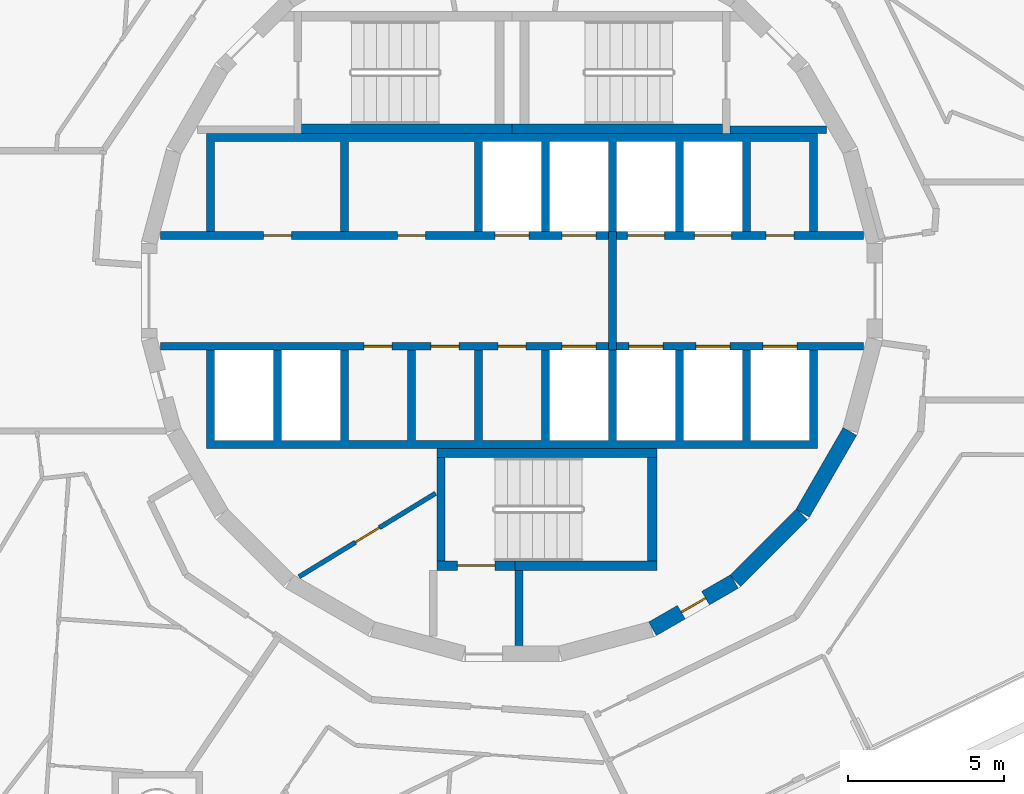
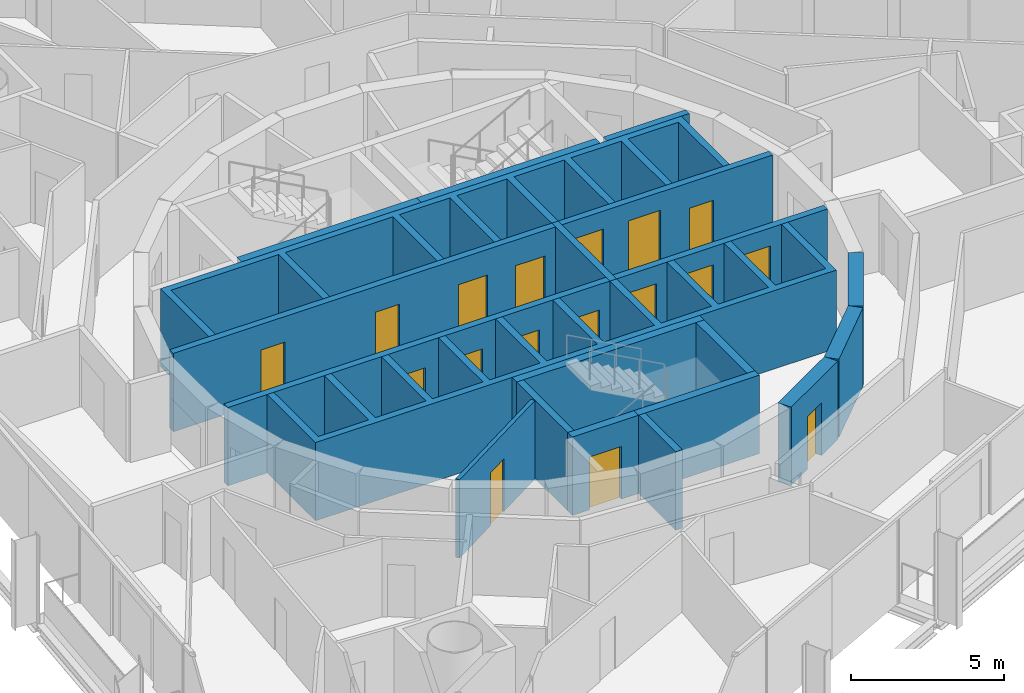
# One storey, part 13 of 17: 20 walls, 17 doors, 17 openings.
"""IFC4 building model written with IfcOpenShell, lengths in metres."""

from ifc_helpers import new_model, si_unit, direction, frame, frame_2d, origin, place, context, subcontext, project, spatial, polyline, rectangle, outline, extrude, material, layer, layer_set, type_object, element, fill, save


model = new_model("IFC4")

# Units and contexts
model_context = context("Model", 3, precision=1e-05, world=origin(), true_north=direction((0.0, 1.0)))
body_context = subcontext(model_context, "Body", "Model", "MODEL_VIEW")
ifc_project = project(units=[si_unit("LENGTHUNIT", "METRE"), si_unit("AREAUNIT", "SQUARE_METRE"), si_unit("VOLUMEUNIT", "CUBIC_METRE"), si_unit("PLANEANGLEUNIT", "RADIAN"), si_unit("MASSUNIT", "GRAM", prefix="KILO")], contexts=[model_context])

# Site, building, storey
site_placement = place(None, origin())
site = spatial("IfcSite", under=ifc_project, at=site_placement, CompositionType="ELEMENT")
building_placement = place(site_placement, origin())
building = spatial("IfcBuilding", under=site, at=building_placement, Name="Spindle Arch Residences", CompositionType="ELEMENT")
storey_placement = place(building_placement, frame((0.0, 0.0, 191.89990234375)))
storey = spatial("IfcBuildingStorey", under=building, at=storey_placement, Name="L48", CompositionType="ELEMENT", Elevation=191.89990234375)

# Wall, opening, door
ifc_material_1 = material(Name="Concrete C50/60", Category="concrete")
ifc_layer_1 = layer(ifc_material_1, 0.5)
ifc_layer_set_1 = layer_set([ifc_layer_1], Name="Core outline wall 500")
wall_type_1 = type_object("IfcWallType", Name="Core outline wall 500", PredefinedType="SHEAR", material=ifc_layer_set_1)
wall_1_placement = place(storey_placement, frame((4.510498046875, -10.84521484375, 0.0), z_axis=(0.0, 0.0, 1.0), x_axis=(0.865975092491, 0.500087131594, 0.0)))
wall_1 = element("IfcWall", 1, at=wall_1_placement, inside=storey, type_object=wall_type_1, Name="Core outline wall 2", PredefinedType="SHEAR", context=body_context, shape_type="SweptSolid", body=[
    extrude(rectangle(XDim=3.03271484375, YDim=0.5, at=frame_2d((1.516357421875, 0.0))), origin(), (0.0, 0.0, 1.0), 3.1201171875),
])
opening_1_placement = place(wall_1_placement, frame((1.06640625, 0.0, 0.0)))
opening_1 = element("IfcOpeningElement", 2, at=opening_1_placement, cuts=wall_1, Name="Opening R5A1-WD10", PredefinedType="OPENING", context=body_context, shape_type="SweptSolid", body=[
    extrude(rectangle(XDim=0.89990234375, YDim=2.10009765625, at=frame_2d((0.449951171875, 1.050048828125))), frame((0.0, 0.260009765625, 0.0), z_axis=(0.0, -1.0, 0.0), x_axis=(1.0, 0.0, 0.0)), (0.0, 0.0, 1.0), 0.52001953125),
])
ifc_material_2 = material(Name="Steel, fire-resisting door", Category="steel")
door_type_1 = type_object("IfcDoorType", Name="Service room door 900x2100", OperationType="SINGLE_SWING_LEFT", PredefinedType="DOOR", material=ifc_material_2)
door_1_placement = place(opening_1_placement, origin())
door_1 = element("IfcDoor", 3, at=door_1_placement, inside=storey, type_object=door_type_1, Name="Service room door R5A1-WD10", OperationType="SINGLE_SWING_RIGHT", OverallHeight=2.10009765625, OverallWidth=0.89990234375, PredefinedType="DOOR", context=body_context, shape_type="SweptSolid", body=[
    extrude(rectangle(XDim=0.89990234375, YDim=2.10009765625, at=frame_2d((0.449951171875, 1.050048828125))), frame((0.0, 0.02490234375, 0.0), z_axis=(0.0, -1.0, 0.0), x_axis=(1.0, 0.0, 0.0)), (0.0, 0.0, 1.0), 0.050048828125),
])
fill(opening_1, door_1)

# Walls
wall_2_placement = place(storey_placement, frame((7.163818359375, -9.30810546875, 0.0), z_axis=(0.0, 0.0, 1.0), x_axis=(0.707106781187, 0.707106781187, 0.0)))
element("IfcWall", 4, at=wall_2_placement, inside=storey, type_object=wall_type_1, Name="Core outline wall 3", PredefinedType="SHEAR", context=body_context, shape_type="SweptSolid", body=[
    extrude(rectangle(XDim=3.032470703125, YDim=0.5, at=frame_2d((1.51611328125, 0.0))), origin(), (0.0, 0.0, 1.0), 3.1201171875),
])
wall_3_placement = place(storey_placement, frame((9.32861328125, -7.13671875, 0.0), z_axis=(0.0, 0.0, 1.0), x_axis=(0.500087131594, 0.865975092491, 0.0)))
element("IfcWall", 5, at=wall_3_placement, inside=storey, type_object=wall_type_1, Name="Core outline wall 4", PredefinedType="SHEAR", context=body_context, shape_type="SweptSolid", body=[
    extrude(rectangle(XDim=3.03271484375, YDim=0.5, at=frame_2d((1.516357421875, 0.0))), origin(), (0.0, 0.0, 1.0), 3.1201171875),
])

# Wall, openings, doors
ifc_material_3 = material(Name="Concrete C40/50", Category="concrete")
ifc_layer_2 = layer(ifc_material_3, 0.25)
ifc_layer_set_2 = layer_set([ifc_layer_2], Name="Fire-lift lobby wall 250")
wall_type_2 = type_object("IfcWallType", Name="Fire-lift lobby wall 250", PredefinedType="SHEAR", material=ifc_layer_set_2)
wall_4_placement = place(storey_placement, frame((3.35009765625, 1.77490234375, 0.0), z_axis=(0.0, 0.0, 1.0), x_axis=(1.0, 0.0, 0.0)))
wall_4 = element("IfcWall", 6, at=wall_4_placement, inside=storey, type_object=wall_type_2, Name="Lift shaft front wall NE", PredefinedType="SHEAR", context=body_context, shape_type="SweptSolid", body=[
    extrude(rectangle(XDim=7.929931640625, YDim=0.25, at=frame_2d((3.96484375, 0.0))), origin(), (0.0, 0.0, 1.0), 3.1201171875),
])
opening_2_placement = place(wall_4_placement, frame((0.35009765625, 0.0, 0.0)))
opening_2 = element("IfcOpeningElement", 7, at=opening_2_placement, cuts=wall_4, Name="Opening R5A1-SLD01", PredefinedType="OPENING", context=body_context, shape_type="SweptSolid", body=[
    extrude(rectangle(XDim=1.199951171875, YDim=2.39990234375, at=frame_2d((0.60009765625, 1.199951171875))), frame((0.0, 0.135009765625, 0.0), z_axis=(0.0, -1.0, 0.0), x_axis=(1.0, 0.0, 0.0)), (0.0, 0.0, 1.0), 0.27001953125),
])
opening_3_placement = place(wall_4_placement, frame((2.5, 0.0, 0.0)))
opening_3 = element("IfcOpeningElement", 8, at=opening_3_placement, cuts=wall_4, Name="Opening R5A1-SLD02", PredefinedType="OPENING", context=body_context, shape_type="SweptSolid", body=[
    extrude(rectangle(XDim=1.199951171875, YDim=2.39990234375, at=frame_2d((0.60009765625, 1.199951171875))), frame((0.0, 0.135009765625, 0.0), z_axis=(0.0, -1.0, 0.0), x_axis=(1.0, 0.0, 0.0)), (0.0, 0.0, 1.0), 0.27001953125),
])
opening_4_placement = place(wall_4_placement, frame((4.800048828125, 0.0, 0.0)))
opening_4 = element("IfcOpeningElement", 9, at=opening_4_placement, cuts=wall_4, Name="Opening R5A1-WD03", PredefinedType="OPENING", context=body_context, shape_type="SweptSolid", body=[
    extrude(rectangle(XDim=0.89990234375, YDim=2.10009765625, at=frame_2d((0.449951171875, 1.050048828125))), frame((0.0, 0.135009765625, 0.0), z_axis=(0.0, -1.0, 0.0), x_axis=(1.0, 0.0, 0.0)), (0.0, 0.0, 1.0), 0.27001953125),
])
ifc_material_4 = material(Name="Steel, fire-resisting landing door", Category="steel")
door_type_2 = type_object("IfcDoorType", Name="Service lift landing door 1200x2400", OperationType="DOUBLE_DOOR_SLIDING", PredefinedType="DOOR", material=ifc_material_4)
door_2_placement = place(opening_2_placement, origin())
door_2 = element("IfcDoor", 10, at=door_2_placement, inside=storey, type_object=door_type_2, Name="Service lift landing door R5A1-SLD01", OperationType="DOUBLE_DOOR_SLIDING", OverallHeight=2.39990234375, OverallWidth=1.199951171875, PredefinedType="DOOR", context=body_context, shape_type="SweptSolid", body=[
    extrude(rectangle(XDim=1.199951171875, YDim=2.39990234375, at=frame_2d((0.60009765625, 1.199951171875))), frame((0.0, 0.02490234375, 0.0), z_axis=(0.0, -1.0, 0.0), x_axis=(1.0, 0.0, 0.0)), (0.0, 0.0, 1.0), 0.050048828125),
])
fill(opening_2, door_2)
door_3_placement = place(opening_3_placement, origin())
door_3 = element("IfcDoor", 11, at=door_3_placement, inside=storey, type_object=door_type_2, Name="Service lift landing door R5A1-SLD02", OperationType="DOUBLE_DOOR_SLIDING", OverallHeight=2.39990234375, OverallWidth=1.199951171875, PredefinedType="DOOR", context=body_context, shape_type="SweptSolid", body=[
    extrude(rectangle(XDim=1.199951171875, YDim=2.39990234375, at=frame_2d((0.60009765625, 1.199951171875))), frame((0.0, 0.02490234375, 0.0), z_axis=(0.0, -1.0, 0.0), x_axis=(1.0, 0.0, 0.0)), (0.0, 0.0, 1.0), 0.050048828125),
])
fill(opening_3, door_3)
door_4_placement = place(opening_4_placement, origin())
door_4 = element("IfcDoor", 12, at=door_4_placement, inside=storey, type_object=door_type_1, Name="Service room door R5A1-WD03", OperationType="SINGLE_SWING_LEFT", OverallHeight=2.10009765625, OverallWidth=0.89990234375, PredefinedType="DOOR", context=body_context, shape_type="SweptSolid", body=[
    extrude(rectangle(XDim=0.89990234375, YDim=2.10009765625, at=frame_2d((0.449951171875, 1.050048828125))), frame((0.0, 0.02490234375, 0.0), z_axis=(0.0, -1.0, 0.0), x_axis=(1.0, 0.0, 0.0)), (0.0, 0.0, 1.0), 0.050048828125),
])
fill(opening_4, door_4)

# Wall
wall_5_placement = place(storey_placement, frame((3.22509765625, -1.89990234375, 0.0), z_axis=(0.0, 0.0, 1.0), x_axis=(0.0, 1.0, 0.0)))
element("IfcWall", 13, at=wall_5_placement, inside=storey, type_object=wall_type_2, Name="Fire-fighting lobby partition", PredefinedType="SHEAR", context=body_context, shape_type="SweptSolid", body=[
    extrude(rectangle(XDim=3.7998046875, YDim=0.25, at=frame_2d((1.89990234375, 0.0))), origin(), (0.0, 0.0, 1.0), 3.1201171875),
])

# Wall, openings, doors
ifc_material_5 = material(Name="Concrete C50/60", Category="concrete")
ifc_layer_3 = layer(ifc_material_5, 0.25)
ifc_layer_set_3 = layer_set([ifc_layer_3], Name="Fire-lift shaft wall 250")
wall_type_3 = type_object("IfcWallType", Name="Fire-lift shaft wall 250", PredefinedType="SHEAR", material=ifc_layer_set_3)
wall_6_placement = place(storey_placement, frame((3.35009765625, -1.77490234375, 0.0), z_axis=(0.0, 0.0, 1.0), x_axis=(1.0, 0.0, 0.0)))
wall_6 = element("IfcWall", 14, at=wall_6_placement, inside=storey, type_object=wall_type_3, Name="Lift shaft front wall SE", PredefinedType="SHEAR", context=body_context, shape_type="SweptSolid", body=[
    extrude(rectangle(XDim=7.929931640625, YDim=0.25, at=frame_2d((3.96484375, 0.0))), origin(), (0.0, 0.0, 1.0), 3.1201171875),
])
opening_5_placement = place(wall_6_placement, frame((0.39990234375, 0.0, 0.0)))
opening_5 = element("IfcOpeningElement", 15, at=opening_5_placement, cuts=wall_6, Name="Opening R5A1-FLD01", PredefinedType="OPENING", context=body_context, shape_type="SweptSolid", body=[
    extrude(rectangle(XDim=1.10009765625, YDim=2.39990234375, at=frame_2d((0.550048828125, 1.199951171875))), frame((0.0, 0.135009765625, 0.0), z_axis=(0.0, -1.0, 0.0), x_axis=(1.0, 0.0, 0.0)), (0.0, 0.0, 1.0), 0.27001953125),
])
opening_6_placement = place(wall_6_placement, frame((2.550048828125, 0.0, 0.0)))
opening_6 = element("IfcOpeningElement", 16, at=opening_6_placement, cuts=wall_6, Name="Opening R5A1-FLD02", PredefinedType="OPENING", context=body_context, shape_type="SweptSolid", body=[
    extrude(rectangle(XDim=1.10009765625, YDim=2.39990234375, at=frame_2d((0.550048828125, 1.199951171875))), frame((0.0, 0.135009765625, 0.0), z_axis=(0.0, -1.0, 0.0), x_axis=(1.0, 0.0, 0.0)), (0.0, 0.0, 1.0), 0.27001953125),
])
opening_7_placement = place(wall_6_placement, frame((4.699951171875, 0.0, 0.0)))
opening_7 = element("IfcOpeningElement", 17, at=opening_7_placement, cuts=wall_6, Name="Opening R5A1-FLD03", PredefinedType="OPENING", context=body_context, shape_type="SweptSolid", body=[
    extrude(rectangle(XDim=1.10009765625, YDim=2.39990234375, at=frame_2d((0.550048828125, 1.199951171875))), frame((0.0, 0.135009765625, 0.0), z_axis=(0.0, -1.0, 0.0), x_axis=(1.0, 0.0, 0.0)), (0.0, 0.0, 1.0), 0.27001953125),
])
ifc_material_6 = material(Name="Steel, fire-resisting landing door", Category="steel")
door_type_3 = type_object("IfcDoorType", Name="Fire-fighting lift landing door 1100x2400", OperationType="DOUBLE_DOOR_SLIDING", PredefinedType="DOOR", material=ifc_material_6)
door_5_placement = place(opening_5_placement, origin())
door_5 = element("IfcDoor", 18, at=door_5_placement, inside=storey, type_object=door_type_3, Name="Fire-fighting lift landing door R5A1-FLD01", OperationType="DOUBLE_DOOR_SLIDING", OverallHeight=2.39990234375, OverallWidth=1.10009765625, PredefinedType="DOOR", context=body_context, shape_type="SweptSolid", body=[
    extrude(rectangle(XDim=1.10009765625, YDim=2.39990234375, at=frame_2d((0.550048828125, 1.199951171875))), frame((0.0, 0.02490234375, 0.0), z_axis=(0.0, -1.0, 0.0), x_axis=(1.0, 0.0, 0.0)), (0.0, 0.0, 1.0), 0.050048828125),
])
fill(opening_5, door_5)
door_6_placement = place(opening_6_placement, origin())
door_6 = element("IfcDoor", 19, at=door_6_placement, inside=storey, type_object=door_type_3, Name="Fire-fighting lift landing door R5A1-FLD02", OperationType="DOUBLE_DOOR_SLIDING", OverallHeight=2.39990234375, OverallWidth=1.10009765625, PredefinedType="DOOR", context=body_context, shape_type="SweptSolid", body=[
    extrude(rectangle(XDim=1.10009765625, YDim=2.39990234375, at=frame_2d((0.550048828125, 1.199951171875))), frame((0.0, 0.02490234375, 0.0), z_axis=(0.0, -1.0, 0.0), x_axis=(1.0, 0.0, 0.0)), (0.0, 0.0, 1.0), 0.050048828125),
])
fill(opening_6, door_6)
door_7_placement = place(opening_7_placement, origin())
door_7 = element("IfcDoor", 20, at=door_7_placement, inside=storey, type_object=door_type_3, Name="Fire-fighting lift landing door R5A1-FLD03", OperationType="DOUBLE_DOOR_SLIDING", OverallHeight=2.39990234375, OverallWidth=1.10009765625, PredefinedType="DOOR", context=body_context, shape_type="SweptSolid", body=[
    extrude(rectangle(XDim=1.10009765625, YDim=2.39990234375, at=frame_2d((0.550048828125, 1.199951171875))), frame((0.0, 0.02490234375, 0.0), z_axis=(0.0, -1.0, 0.0), x_axis=(1.0, 0.0, 0.0)), (0.0, 0.0, 1.0), 0.050048828125),
])
fill(opening_7, door_7)

ifc_material_7 = material(Name="Concrete C50/60", Category="concrete")
ifc_layer_4 = layer(ifc_material_7, 0.25)
ifc_layer_set_4 = layer_set([ifc_layer_4], Name="Lift shaft wall 250")
wall_type_4 = type_object("IfcWallType", Name="Lift shaft wall 250", PredefinedType="SHEAR", material=ifc_layer_set_4)
wall_7_placement = place(storey_placement, frame((-11.280029296875, 1.77490234375, 0.0), z_axis=(0.0, 0.0, 1.0), x_axis=(1.0, 0.0, 0.0)))
wall_7 = element("IfcWall", 21, at=wall_7_placement, inside=storey, type_object=wall_type_4, Name="Lift shaft front wall NW", PredefinedType="SHEAR", context=body_context, shape_type="SweptSolid", body=[
    extrude(rectangle(XDim=14.380126953125, YDim=0.25, at=frame_2d((7.18994140625, 0.0))), origin(), (0.0, 0.0, 1.0), 3.1201171875),
])
opening_8_placement = place(wall_7_placement, frame((10.72998046875, 0.0, 0.0)))
opening_8 = element("IfcOpeningElement", 22, at=opening_8_placement, cuts=wall_7, Name="Opening R5A1-LD01", PredefinedType="OPENING", context=body_context, shape_type="SweptSolid", body=[
    extrude(rectangle(XDim=1.10009765625, YDim=2.10009765625, at=frame_2d((0.550048828125, 1.050048828125))), frame((0.0, 0.135009765625, 0.0), z_axis=(0.0, -1.0, 0.0), x_axis=(1.0, 0.0, 0.0)), (0.0, 0.0, 1.0), 0.27001953125),
])
opening_9_placement = place(wall_7_placement, frame((12.8798828125, 0.0, 0.0)))
opening_9 = element("IfcOpeningElement", 23, at=opening_9_placement, cuts=wall_7, Name="Opening R5A1-LD02", PredefinedType="OPENING", context=body_context, shape_type="SweptSolid", body=[
    extrude(rectangle(XDim=1.10009765625, YDim=2.10009765625, at=frame_2d((0.550048828125, 1.050048828125))), frame((0.0, 0.135009765625, 0.0), z_axis=(0.0, -1.0, 0.0), x_axis=(1.0, 0.0, 0.0)), (0.0, 0.0, 1.0), 0.27001953125),
])
opening_10_placement = place(wall_7_placement, frame((3.304931640625, 0.0, 0.0)))
opening_10 = element("IfcOpeningElement", 24, at=opening_10_placement, cuts=wall_7, Name="Opening R5A1-WD01", PredefinedType="OPENING", context=body_context, shape_type="SweptSolid", body=[
    extrude(rectangle(XDim=0.89990234375, YDim=2.10009765625, at=frame_2d((0.449951171875, 1.050048828125))), frame((0.0, 0.135009765625, 0.0), z_axis=(0.0, -1.0, 0.0), x_axis=(1.0, 0.0, 0.0)), (0.0, 0.0, 1.0), 0.27001953125),
])
opening_11_placement = place(wall_7_placement, frame((7.60498046875, 0.0, 0.0)))
opening_11 = element("IfcOpeningElement", 25, at=opening_11_placement, cuts=wall_7, Name="Opening R5A1-WD02", PredefinedType="OPENING", context=body_context, shape_type="SweptSolid", body=[
    extrude(rectangle(XDim=0.89990234375, YDim=2.10009765625, at=frame_2d((0.449951171875, 1.050048828125))), frame((0.0, 0.135009765625, 0.0), z_axis=(0.0, -1.0, 0.0), x_axis=(1.0, 0.0, 0.0)), (0.0, 0.0, 1.0), 0.27001953125),
])
ifc_material_8 = material(Name="Steel, fire-resisting landing door", Category="steel")
door_type_4 = type_object("IfcDoorType", Name="Lift landing door 1100x2100", OperationType="DOUBLE_DOOR_SLIDING", PredefinedType="DOOR", material=ifc_material_8)
door_8_placement = place(opening_8_placement, origin())
door_8 = element("IfcDoor", 26, at=door_8_placement, inside=storey, type_object=door_type_4, Name="Lift landing door R5A1-LD01", OperationType="DOUBLE_DOOR_SLIDING", OverallHeight=2.10009765625, OverallWidth=1.10009765625, PredefinedType="DOOR", context=body_context, shape_type="SweptSolid", body=[
    extrude(rectangle(XDim=1.10009765625, YDim=2.10009765625, at=frame_2d((0.550048828125, 1.050048828125))), frame((0.0, 0.02490234375, 0.0), z_axis=(0.0, -1.0, 0.0), x_axis=(1.0, 0.0, 0.0)), (0.0, 0.0, 1.0), 0.050048828125),
])
fill(opening_8, door_8)
door_9_placement = place(opening_9_placement, origin())
door_9 = element("IfcDoor", 27, at=door_9_placement, inside=storey, type_object=door_type_4, Name="Lift landing door R5A1-LD02", OperationType="DOUBLE_DOOR_SLIDING", OverallHeight=2.10009765625, OverallWidth=1.10009765625, PredefinedType="DOOR", context=body_context, shape_type="SweptSolid", body=[
    extrude(rectangle(XDim=1.10009765625, YDim=2.10009765625, at=frame_2d((0.550048828125, 1.050048828125))), frame((0.0, 0.02490234375, 0.0), z_axis=(0.0, -1.0, 0.0), x_axis=(1.0, 0.0, 0.0)), (0.0, 0.0, 1.0), 0.050048828125),
])
fill(opening_9, door_9)
door_10_placement = place(opening_10_placement, origin())
door_10 = element("IfcDoor", 28, at=door_10_placement, inside=storey, type_object=door_type_1, Name="Service room door R5A1-WD01", OperationType="SINGLE_SWING_LEFT", OverallHeight=2.10009765625, OverallWidth=0.89990234375, PredefinedType="DOOR", context=body_context, shape_type="SweptSolid", body=[
    extrude(rectangle(XDim=0.89990234375, YDim=2.10009765625, at=frame_2d((0.449951171875, 1.050048828125))), frame((0.0, 0.02490234375, 0.0), z_axis=(0.0, -1.0, 0.0), x_axis=(1.0, 0.0, 0.0)), (0.0, 0.0, 1.0), 0.050048828125),
])
fill(opening_10, door_10)
door_11_placement = place(opening_11_placement, origin())
door_11 = element("IfcDoor", 29, at=door_11_placement, inside=storey, type_object=door_type_1, Name="Service room door R5A1-WD02", OperationType="SINGLE_SWING_RIGHT", OverallHeight=2.10009765625, OverallWidth=0.89990234375, PredefinedType="DOOR", context=body_context, shape_type="SweptSolid", body=[
    extrude(rectangle(XDim=0.89990234375, YDim=2.10009765625, at=frame_2d((0.449951171875, 1.050048828125))), frame((0.0, 0.02490234375, 0.0), z_axis=(0.0, -1.0, 0.0), x_axis=(1.0, 0.0, 0.0)), (0.0, 0.0, 1.0), 0.050048828125),
])
fill(opening_11, door_11)

wall_8_placement = place(storey_placement, frame((-11.280029296875, -1.77490234375, 0.0), z_axis=(0.0, 0.0, 1.0), x_axis=(1.0, 0.0, 0.0)))
wall_8 = element("IfcWall", 30, at=wall_8_placement, inside=storey, type_object=wall_type_4, Name="Lift shaft front wall SW", PredefinedType="SHEAR", context=body_context, shape_type="SweptSolid", body=[
    extrude(rectangle(XDim=14.380126953125, YDim=0.25, at=frame_2d((7.18994140625, 0.0))), origin(), (0.0, 0.0, 1.0), 3.1201171875),
])
opening_12_placement = place(wall_8_placement, frame((12.8798828125, 0.0, 0.0)))
opening_12 = element("IfcOpeningElement", 31, at=opening_12_placement, cuts=wall_8, Name="Opening R5A1-LD03", PredefinedType="OPENING", context=body_context, shape_type="SweptSolid", body=[
    extrude(rectangle(XDim=1.10009765625, YDim=2.10009765625, at=frame_2d((0.550048828125, 1.050048828125))), frame((0.0, 0.135009765625, 0.0), z_axis=(0.0, -1.0, 0.0), x_axis=(1.0, 0.0, 0.0)), (0.0, 0.0, 1.0), 0.27001953125),
])
opening_13_placement = place(wall_8_placement, frame((6.530029296875, 0.0, 0.0)))
opening_13 = element("IfcOpeningElement", 32, at=opening_13_placement, cuts=wall_8, Name="Opening R5A1-WD04", PredefinedType="OPENING", context=body_context, shape_type="SweptSolid", body=[
    extrude(rectangle(XDim=0.89990234375, YDim=2.10009765625, at=frame_2d((0.449951171875, 1.050048828125))), frame((0.0, 0.135009765625, 0.0), z_axis=(0.0, -1.0, 0.0), x_axis=(1.0, 0.0, 0.0)), (0.0, 0.0, 1.0), 0.27001953125),
])
opening_14_placement = place(wall_8_placement, frame((8.679931640625, 0.0, 0.0)))
opening_14 = element("IfcOpeningElement", 33, at=opening_14_placement, cuts=wall_8, Name="Opening R5A1-WD05", PredefinedType="OPENING", context=body_context, shape_type="SweptSolid", body=[
    extrude(rectangle(XDim=0.89990234375, YDim=2.10009765625, at=frame_2d((0.449951171875, 1.050048828125))), frame((0.0, 0.135009765625, 0.0), z_axis=(0.0, -1.0, 0.0), x_axis=(1.0, 0.0, 0.0)), (0.0, 0.0, 1.0), 0.27001953125),
])
opening_15_placement = place(wall_8_placement, frame((10.830078125, 0.0, 0.0)))
opening_15 = element("IfcOpeningElement", 34, at=opening_15_placement, cuts=wall_8, Name="Opening R5A1-WD06", PredefinedType="OPENING", context=body_context, shape_type="SweptSolid", body=[
    extrude(rectangle(XDim=0.89990234375, YDim=2.10009765625, at=frame_2d((0.449951171875, 1.050048828125))), frame((0.0, 0.135009765625, 0.0), z_axis=(0.0, -1.0, 0.0), x_axis=(1.0, 0.0, 0.0)), (0.0, 0.0, 1.0), 0.27001953125),
])
door_12_placement = place(opening_12_placement, origin())
door_12 = element("IfcDoor", 35, at=door_12_placement, inside=storey, type_object=door_type_4, Name="Lift landing door R5A1-LD03", OperationType="DOUBLE_DOOR_SLIDING", OverallHeight=2.10009765625, OverallWidth=1.10009765625, PredefinedType="DOOR", context=body_context, shape_type="SweptSolid", body=[
    extrude(rectangle(XDim=1.10009765625, YDim=2.10009765625, at=frame_2d((0.550048828125, 1.050048828125))), frame((0.0, 0.02490234375, 0.0), z_axis=(0.0, -1.0, 0.0), x_axis=(1.0, 0.0, 0.0)), (0.0, 0.0, 1.0), 0.050048828125),
])
fill(opening_12, door_12)
door_13_placement = place(opening_13_placement, origin())
door_13 = element("IfcDoor", 36, at=door_13_placement, inside=storey, type_object=door_type_1, Name="Service room door R5A1-WD04", OperationType="SINGLE_SWING_RIGHT", OverallHeight=2.10009765625, OverallWidth=0.89990234375, PredefinedType="DOOR", context=body_context, shape_type="SweptSolid", body=[
    extrude(rectangle(XDim=0.89990234375, YDim=2.10009765625, at=frame_2d((0.449951171875, 1.050048828125))), frame((0.0, 0.02490234375, 0.0), z_axis=(0.0, -1.0, 0.0), x_axis=(1.0, 0.0, 0.0)), (0.0, 0.0, 1.0), 0.050048828125),
])
fill(opening_13, door_13)
door_14_placement = place(opening_14_placement, origin())
door_14 = element("IfcDoor", 37, at=door_14_placement, inside=storey, type_object=door_type_1, Name="Service room door R5A1-WD05", OperationType="SINGLE_SWING_LEFT", OverallHeight=2.10009765625, OverallWidth=0.89990234375, PredefinedType="DOOR", context=body_context, shape_type="SweptSolid", body=[
    extrude(rectangle(XDim=0.89990234375, YDim=2.10009765625, at=frame_2d((0.449951171875, 1.050048828125))), frame((0.0, 0.02490234375, 0.0), z_axis=(0.0, -1.0, 0.0), x_axis=(1.0, 0.0, 0.0)), (0.0, 0.0, 1.0), 0.050048828125),
])
fill(opening_14, door_14)
door_15_placement = place(opening_15_placement, origin())
door_15 = element("IfcDoor", 38, at=door_15_placement, inside=storey, type_object=door_type_1, Name="Service room door R5A1-WD06", OperationType="SINGLE_SWING_RIGHT", OverallHeight=2.10009765625, OverallWidth=0.89990234375, PredefinedType="DOOR", context=body_context, shape_type="SweptSolid", body=[
    extrude(rectangle(XDim=0.89990234375, YDim=2.10009765625, at=frame_2d((0.449951171875, 1.050048828125))), frame((0.0, 0.02490234375, 0.0), z_axis=(0.0, -1.0, 0.0), x_axis=(1.0, 0.0, 0.0)), (0.0, 0.0, 1.0), 0.050048828125),
])
fill(opening_15, door_15)

# Walls
ifc_material_9 = material(Name="Concrete C50/60", Category="concrete")
wall_type_5 = type_object("IfcWallType", Name="Lift shaft wall profile", PredefinedType="SHEAR", material=ifc_material_9)
wall_9_placement = place(storey_placement, origin())
element("IfcWall", 39, at=wall_9_placement, inside=storey, type_object=wall_type_5, Name="Lift shaft walls N", PredefinedType="SHEAR", context=body_context, shape_type="SweptSolid", body=[
    extrude(outline(polyline([(-9.550048828125, 4.800048828125), (-5.5, 4.800048828125), (-5.5, 1.89990234375), (-5.25, 1.89990234375), (-5.25, 4.800048828125), (-1.199951171875, 4.800048828125), (-1.199951171875, 1.89990234375), (-0.949951171875, 1.89990234375), (-0.949951171875, 4.800048828125), (0.949951171875, 4.800048828125), (0.949951171875, 1.89990234375), (1.199951171875, 1.89990234375), (1.199951171875, 4.800048828125), (3.10009765625, 4.800048828125), (3.10009765625, 1.89990234375), (3.35009765625, 1.89990234375), (3.35009765625, 4.800048828125), (5.25, 4.800048828125), (5.25, 1.89990234375), (5.5, 1.89990234375), (5.5, 4.800048828125), (7.39990234375, 4.800048828125), (7.39990234375, 1.89990234375), (7.64990234375, 1.89990234375), (7.64990234375, 4.800048828125), (9.550048828125, 4.800048828125), (9.550048828125, 1.89990234375), (9.800048828125, 1.89990234375), (9.800048828125, 4.800048828125), (9.800048828125, 5.050048828125), (-9.800048828125, 5.050048828125), (-9.800048828125, 4.800048828125), (-9.800048828125, 1.89990234375), (-9.550048828125, 1.89990234375), (-9.550048828125, 4.800048828125)])), origin(), (0.0, 0.0, 1.0), 3.1201171875),
])
wall_10_placement = place(storey_placement, origin())
element("IfcWall", 40, at=wall_10_placement, inside=storey, type_object=wall_type_5, Name="Lift shaft walls S", PredefinedType="SHEAR", context=body_context, shape_type="SweptSolid", body=[
    extrude(outline(polyline([(9.800048828125, -5.050048828125), (9.800048828125, -4.800048828125), (9.800048828125, -1.89990234375), (9.550048828125, -1.89990234375), (9.550048828125, -4.800048828125), (7.64990234375, -4.800048828125), (7.64990234375, -1.89990234375), (7.39990234375, -1.89990234375), (7.39990234375, -4.800048828125), (5.5, -4.800048828125), (5.5, -1.89990234375), (5.25, -1.89990234375), (5.25, -4.800048828125), (3.35009765625, -4.800048828125), (3.35009765625, -1.89990234375), (3.10009765625, -1.89990234375), (3.10009765625, -4.800048828125), (1.199951171875, -4.800048828125), (1.199951171875, -1.89990234375), (0.949951171875, -1.89990234375), (0.949951171875, -4.800048828125), (-0.949951171875, -4.800048828125), (-0.949951171875, -1.89990234375), (-1.199951171875, -1.89990234375), (-1.199951171875, -4.800048828125), (-3.10009765625, -4.800048828125), (-3.10009765625, -1.89990234375), (-3.35009765625, -1.89990234375), (-3.35009765625, -4.800048828125), (-5.25, -4.800048828125), (-5.25, -1.89990234375), (-5.5, -1.89990234375), (-5.5, -4.800048828125), (-7.39990234375, -4.800048828125), (-7.39990234375, -1.89990234375), (-7.64990234375, -1.89990234375), (-7.64990234375, -4.800048828125), (-9.550048828125, -4.800048828125), (-9.550048828125, -1.89990234375), (-9.800048828125, -1.89990234375), (-9.800048828125, -4.800048828125), (-9.800048828125, -5.050048828125), (9.800048828125, -5.050048828125)])), origin(), (0.0, 0.0, 1.0), 3.1201171875),
])

# Wall, opening, door
ifc_material_10 = material(Name="Concrete C25/30", Category="concrete")
ifc_layer_5 = layer(ifc_material_10, 0.14990234375)
ifc_layer_set_5 = layer_set([ifc_layer_5], Name="Service room partition 150")
wall_type_6 = type_object("IfcWallType", Name="Service room partition 150", PredefinedType="PARTITIONING", material=ifc_layer_set_5)
wall_11_placement = place(storey_placement, frame((-2.451171875, -6.49462890625, 0.0), z_axis=(0.0, 0.0, 1.0), x_axis=(-0.853250115418, -0.521501908471, 0.0)))
wall_11 = element("IfcWall", 41, at=wall_11_placement, inside=storey, type_object=wall_type_6, Name="Core service room partition", PredefinedType="PARTITIONING", context=body_context, shape_type="SweptSolid", body=[
    extrude(rectangle(XDim=5.137451171875, YDim=0.14990234375, at=frame_2d((2.56884765625, 0.0))), origin(), (0.0, 0.0, 1.0), 3.1201171875),
])
opening_16_placement = place(wall_11_placement, frame((2.11865234375, 0.0, 0.0)))
opening_16 = element("IfcOpeningElement", 42, at=opening_16_placement, cuts=wall_11, Name="Opening R5A1-WD07", PredefinedType="OPENING", context=body_context, shape_type="SweptSolid", body=[
    extrude(rectangle(XDim=0.89990234375, YDim=2.10009765625, at=frame_2d((0.449951171875, 1.050048828125))), frame((0.0, 0.0849609375, 0.0), z_axis=(0.0, -1.0, 0.0), x_axis=(1.0, 0.0, 0.0)), (0.0, 0.0, 1.0), 0.169921875),
])
door_16_placement = place(opening_16_placement, origin())
door_16 = element("IfcDoor", 43, at=door_16_placement, inside=storey, type_object=door_type_1, Name="Service room door R5A1-WD07", OperationType="SINGLE_SWING_LEFT", OverallHeight=2.10009765625, OverallWidth=0.89990234375, PredefinedType="DOOR", context=body_context, shape_type="SweptSolid", body=[
    extrude(rectangle(XDim=0.89990234375, YDim=2.10009765625, at=frame_2d((0.449951171875, 1.050048828125))), frame((0.0, 0.02490234375, 0.0), z_axis=(0.0, -1.0, 0.0), x_axis=(1.0, 0.0, 0.0)), (0.0, 0.0, 1.0), 0.050048828125),
])
fill(opening_16, door_16)

# Walls
ifc_material_11 = material(Name="Concrete C40/50", Category="concrete")
ifc_layer_6 = layer(ifc_material_11, 0.25)
ifc_layer_set_6 = layer_set([ifc_layer_6], Name="Stair airlock wall 250")
wall_type_7 = type_object("IfcWallType", Name="Stair airlock wall 250", PredefinedType="SHEAR", material=ifc_layer_set_6)
wall_12_placement = place(storey_placement, frame((7.0, 5.175048828125, 0.0), z_axis=(0.0, 0.0, 1.0), x_axis=(1.0, 0.0, 0.0)))
element("IfcWall", 44, at=wall_12_placement, inside=storey, type_object=wall_type_7, Name="Stair ST-1 airlock wall S", PredefinedType="SHEAR", context=body_context, shape_type="SweptSolid", body=[
    extrude(rectangle(XDim=3.10009765625, YDim=0.25, at=frame_2d((1.550048828125, 0.0))), origin(), (0.0, 0.0, 1.0), 3.1201171875),
])
wall_13_placement = place(storey_placement, frame((0.22509765625, -8.969970703125, 0.0), z_axis=(0.0, 0.0, 1.0), x_axis=(0.0, -1.0, 0.0)))
element("IfcWall", 45, at=wall_13_placement, inside=storey, type_object=wall_type_7, Name="Stair ST-3 airlock wall E", PredefinedType="SHEAR", context=body_context, shape_type="SweptSolid", body=[
    extrude(rectangle(XDim=2.409912109375, YDim=0.25, at=frame_2d((1.205078125, 0.0))), origin(), (0.0, 0.0, 1.0), 3.1201171875),
])
ifc_material_12 = material(Name="Concrete C50/60", Category="concrete")
ifc_layer_7 = layer(ifc_material_12, 0.25)
ifc_layer_set_7 = layer_set([ifc_layer_7], Name="Stair enclosure wall 250")
wall_type_8 = type_object("IfcWallType", Name="Stair enclosure wall 250", PredefinedType="SHEAR", material=ifc_layer_set_7)
wall_14_placement = place(storey_placement, frame((-2.27490234375, -8.669921875, 0.0), z_axis=(0.0, 0.0, 1.0), x_axis=(0.0, 1.0, 0.0)))
element("IfcWall", 46, at=wall_14_placement, inside=storey, type_object=wall_type_8, Name="Stair ST-3 enclosure wall W", PredefinedType="SHEAR", context=body_context, shape_type="SweptSolid", body=[
    extrude(rectangle(XDim=3.31982421875, YDim=0.25, at=frame_2d((1.659912109375, 0.0))), origin(), (0.0, 0.0, 1.0), 3.1201171875),
])
ifc_material_13 = material(Name="Concrete C50/60", Category="concrete")
ifc_layer_8 = layer(ifc_material_13, 0.300048828125)
ifc_layer_set_8 = layer_set([ifc_layer_8], Name="Stair enclosure wall 300")
wall_type_9 = type_object("IfcWallType", Name="Stair enclosure wall 300", PredefinedType="SHEAR", material=ifc_layer_set_8)
for number, where, z_axis, x_axis, name in (
    (47, (0.0, 5.199951171875, 0.0), (0.0, 0.0, 1.0), (1.0, 0.0, 0.0), "Stair ST-1 enclosure wall S"),
    (48, (-6.75, 5.199951171875, 0.0), (0.0, 0.0, 1.0), (1.0, 0.0, 0.0), "Stair ST-2 enclosure wall S"),
):
    element("IfcWall", number, at=place(storey_placement, frame(where, z_axis=z_axis, x_axis=x_axis)), inside=storey, type_object=wall_type_9, Name=name, PredefinedType="SHEAR", context=body_context, shape_type="SweptSolid", body=[
        extrude(rectangle(XDim=6.75, YDim=0.300048828125, at=frame_2d((3.375, 0.0))), origin(), (0.0, 0.0, 1.0), 3.1201171875),
    ])
wall_15_placement = place(storey_placement, frame((-2.39990234375, -5.199951171875, 0.0), z_axis=(0.0, 0.0, 1.0), x_axis=(1.0, 0.0, 0.0)))
element("IfcWall", 49, at=wall_15_placement, inside=storey, type_object=wall_type_9, Name="Stair ST-3 enclosure wall N", PredefinedType="SHEAR", context=body_context, shape_type="SweptSolid", body=[
    extrude(rectangle(XDim=7.0498046875, YDim=0.300048828125, at=frame_2d((3.52490234375, 0.0))), origin(), (0.0, 0.0, 1.0), 3.1201171875),
])
wall_16_placement = place(storey_placement, frame((4.5, -8.669921875, 0.0), z_axis=(0.0, 0.0, 1.0), x_axis=(0.0, 1.0, 0.0)))
element("IfcWall", 50, at=wall_16_placement, inside=storey, type_object=wall_type_9, Name="Stair ST-3 enclosure wall E", PredefinedType="SHEAR", context=body_context, shape_type="SweptSolid", body=[
    extrude(rectangle(XDim=3.31982421875, YDim=0.300048828125, at=frame_2d((1.659912109375, 0.0))), origin(), (0.0, 0.0, 1.0), 3.1201171875),
])
wall_17_placement = place(storey_placement, frame((0.10009765625, -8.820068359375, 0.0), z_axis=(0.0, 0.0, 1.0), x_axis=(1.0, 0.0, 0.0)))
element("IfcWall", 51, at=wall_17_placement, inside=storey, type_object=wall_type_9, Name="Stair ST-3 enclosure wall S", PredefinedType="SHEAR", context=body_context, shape_type="SweptSolid", body=[
    extrude(rectangle(XDim=4.5498046875, YDim=0.300048828125, at=frame_2d((2.27490234375, 0.0))), origin(), (0.0, 0.0, 1.0), 3.1201171875),
])

# Wall, opening, door
wall_18_placement = place(storey_placement, frame((-2.39990234375, -8.820068359375, 0.0), z_axis=(0.0, 0.0, 1.0), x_axis=(1.0, 0.0, 0.0)))
wall_18 = element("IfcWall", 52, at=wall_18_placement, inside=storey, type_object=wall_type_9, Name="Stair ST-3 door wall", PredefinedType="SHEAR", context=body_context, shape_type="SweptSolid", body=[
    extrude(rectangle(XDim=2.5, YDim=0.300048828125, at=frame_2d((1.25, 0.0))), origin(), (0.0, 0.0, 1.0), 3.1201171875),
])
opening_17_placement = place(wall_18_placement, frame((0.64990234375, 0.0, 0.0)))
opening_17 = element("IfcOpeningElement", 53, at=opening_17_placement, cuts=wall_18, Name="Opening R5A1-SD03", PredefinedType="OPENING", context=body_context, shape_type="SweptSolid", body=[
    extrude(rectangle(XDim=1.199951171875, YDim=2.10009765625, at=frame_2d((0.60009765625, 1.050048828125))), frame((0.0, 0.16015625, 0.0), z_axis=(0.0, -1.0, 0.0), x_axis=(1.0, 0.0, 0.0)), (0.0, 0.0, 1.0), 0.320068359375),
])
ifc_material_14 = material(Name="Steel, fire-resisting door", Category="steel")
door_type_5 = type_object("IfcDoorType", Name="Stair door 1200x2100", OperationType="SINGLE_SWING_RIGHT", PredefinedType="DOOR", material=ifc_material_14)
door_17_placement = place(opening_17_placement, origin())
door_17 = element("IfcDoor", 54, at=door_17_placement, inside=storey, type_object=door_type_5, Name="Stair door R5A1-SD03", OperationType="SINGLE_SWING_LEFT", OverallHeight=2.10009765625, OverallWidth=1.199951171875, PredefinedType="DOOR", context=body_context, shape_type="SweptSolid", body=[
    extrude(rectangle(XDim=1.199951171875, YDim=2.10009765625, at=frame_2d((0.60009765625, 1.050048828125))), frame((0.0, 0.02490234375, 0.0), z_axis=(0.0, -1.0, 0.0), x_axis=(1.0, 0.0, 0.0)), (0.0, 0.0, 1.0), 0.050048828125),
])
fill(opening_17, door_17)

save(model, "model.ifc")
